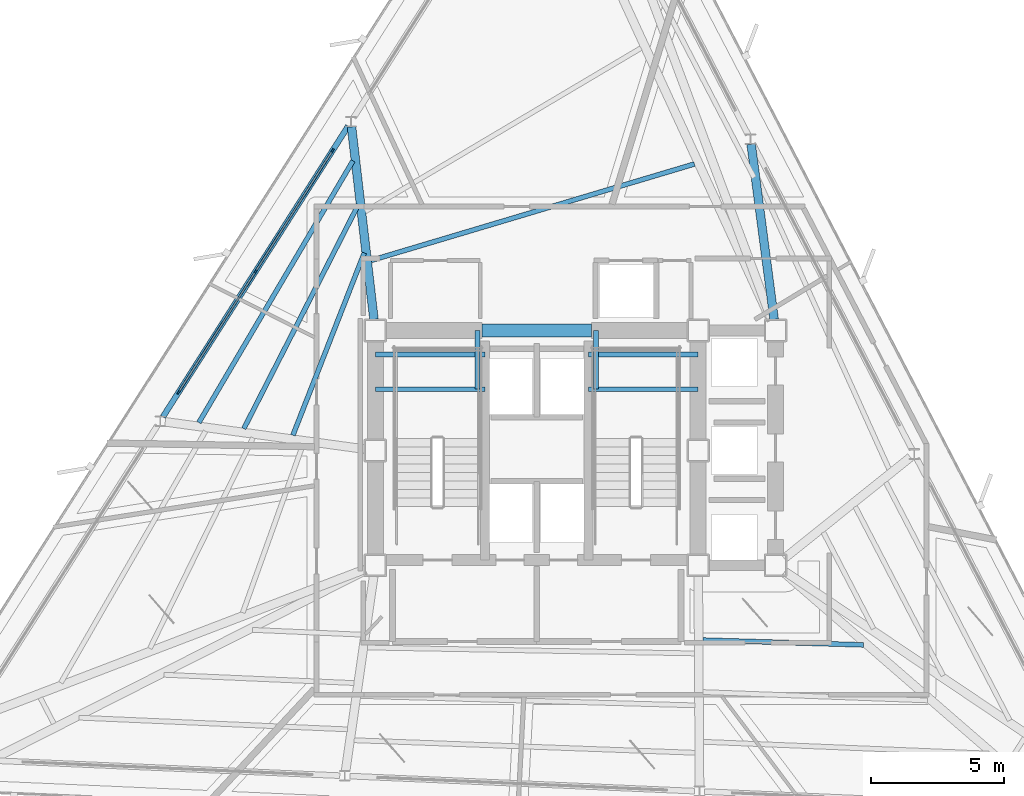
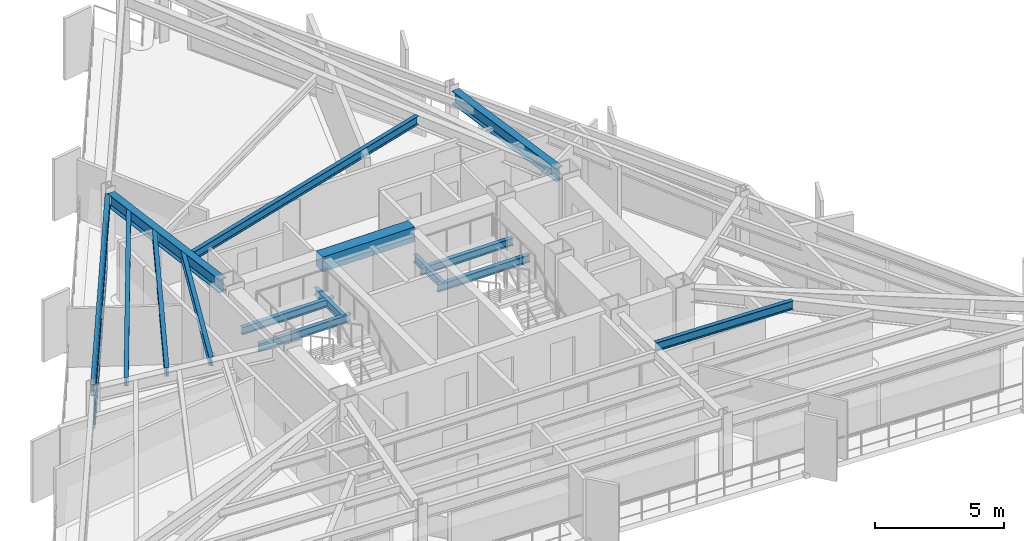
# One storey, part 3 of 12: 15 beams, 7 members, 1 element without a shape of its own.
"""IFC4 building model written with IfcOpenShell, lengths in metres."""

from ifc_helpers import new_model, si_unit, direction, frame, origin, origin_2d, place, context, subcontext, project, spatial, rectangle, i_section, extrude, material, layer, layer_set, material_profile, profile_set, type_object, element, aggregate, save


model = new_model("IFC4")

# Units and contexts
model_context = context("Model", 3, precision=1e-05, world=origin(), true_north=direction((0.0, 1.0)))
body_context = subcontext(model_context, "Body", "Model", "MODEL_VIEW")
ifc_project = project(units=[si_unit("LENGTHUNIT", "METRE"), si_unit("AREAUNIT", "SQUARE_METRE"), si_unit("VOLUMEUNIT", "CUBIC_METRE"), si_unit("PLANEANGLEUNIT", "RADIAN"), si_unit("MASSUNIT", "GRAM", prefix="KILO")], contexts=[model_context])

# Site, building, storey
site_placement = place(None, origin())
site = spatial("IfcSite", under=ifc_project, at=site_placement, CompositionType="ELEMENT")
building_placement = place(site_placement, origin())
building = spatial("IfcBuilding", under=site, at=building_placement, Name="Rocaltana Carrier Exchange", CompositionType="ELEMENT")
storey_placement = place(building_placement, frame((0.0, 0.0, 141.1201171875)))
storey = spatial("IfcBuildingStorey", under=building, at=storey_placement, Name="L44", CompositionType="ELEMENT", Elevation=141.1201171875)

# Curtain wall, members
ifc_material_1 = material(Name="Aluminium 6063-T6", Category="aluminium")
ifc_layer = layer(ifc_material_1, 0.14990234375)
ifc_layer_set = layer_set([ifc_layer], Name="Aluminium 6063-T6")
curtain_wall_type = type_object("IfcCurtainWallType", Name="Mid-Tower Unitised Curtain Wall CW-03", PredefinedType="NOTDEFINED", material=ifc_layer_set)
curtain_wall_placement = place(storey_placement, origin())
curtain_wall = element("IfcCurtainWall", 1, at=curtain_wall_placement, inside=storey, type_object=curtain_wall_type, Name="L44 CW-03 Run CW-L44-F2S2", PredefinedType="NOTDEFINED")
ifc_material_2 = material(Name="Aluminium 6063-T6", Category="aluminium")
ifc_material_profile_1 = material_profile(ifc_material_2, rectangle(XDim=0.06005859375, YDim=0.14990234375, at=origin_2d()), Name="AL-60X150")
ifc_profile_set_1 = profile_set([ifc_material_profile_1], Name="Aluminium 6063-T6")
member_type_1 = type_object("IfcMemberType", Name="CW-03 Mullion AL-60X150", PredefinedType="MULLION", material=ifc_profile_set_1)
member_1_placement = place(storey_placement, frame((-7.6494140625, 11.240478515625, 0.0), z_axis=(0.0, 0.0, 1.0), x_axis=(0.843390685726, -0.537300801443, 0.0)))
member_1 = element("IfcMember", 2, at=member_1_placement, type_object=member_type_1, Name="CW-03 mullion 1", PredefinedType="MULLION", context=body_context, shape_type="SweptSolid", body=[
    extrude(rectangle(XDim=0.06005859375, YDim=0.14990234375, at=origin_2d()), origin(), (0.0, 0.0, 1.0), 2.2177734375),
])
member_2_placement = place(storey_placement, frame((-10.53466796875, 6.71142578125, 0.0), z_axis=(0.0, 0.0, 1.0), x_axis=(0.843390685726, -0.537300801443, 0.0)))
member_2 = element("IfcMember", 3, at=member_2_placement, type_object=member_type_1, Name="CW-03 mullion 2", PredefinedType="MULLION", context=body_context, shape_type="SweptSolid", body=[
    extrude(rectangle(XDim=0.06005859375, YDim=0.14990234375, at=origin_2d()), origin(), (0.0, 0.0, 1.0), 2.2177734375),
])
member_3_placement = place(storey_placement, frame((-13.420166015625, 2.182373046875, 0.0), z_axis=(0.0, 0.0, 1.0), x_axis=(0.843390685726, -0.537300801443, 0.0)))
member_3 = element("IfcMember", 4, at=member_3_placement, type_object=member_type_1, Name="CW-03 mullion 3", PredefinedType="MULLION", context=body_context, shape_type="SweptSolid", body=[
    extrude(rectangle(XDim=0.06005859375, YDim=0.14990234375, at=origin_2d()), origin(), (0.0, 0.0, 1.0), 2.2177734375),
])
ifc_material_3 = material(Name="Aluminium 6063-T6", Category="aluminium")
ifc_material_profile_2 = material_profile(ifc_material_3, rectangle(XDim=0.06005859375, YDim=0.14990234375, at=origin_2d()), Name="AL-60X150")
ifc_profile_set_2 = profile_set([ifc_material_profile_2], Name="Aluminium 6063-T6")
member_type_2 = type_object("IfcMemberType", Name="CW-03 Transom AL-60X150", PredefinedType="USERDEFINED", material=ifc_profile_set_2)
member_4_placement = place(storey_placement, frame((-7.66552734375, 11.215087890625, 0.02978515625), z_axis=(-0.537285975238, -0.843400130906, 0.0), x_axis=(0.843400130906, -0.537285975238, 0.0)))
member_4 = element("IfcMember", 5, at=member_4_placement, type_object=member_type_2, Name="CW-03 transom 1.1", ObjectType="TRANSOM", PredefinedType="USERDEFINED", context=body_context, shape_type="SweptSolid", body=[
    extrude(rectangle(XDim=0.06005859375, YDim=0.14990234375, at=origin_2d()), origin(), (0.0, 0.0, 1.0), 5.31005859375),
])
member_5_placement = place(storey_placement, frame((-7.66552734375, 11.215087890625, 2.18798828125), z_axis=(-0.537285975238, -0.843400130906, 0.0), x_axis=(0.843400130906, -0.537285975238, 0.0)))
member_5 = element("IfcMember", 6, at=member_5_placement, type_object=member_type_2, Name="CW-03 transom 1.2", ObjectType="TRANSOM", PredefinedType="USERDEFINED", context=body_context, shape_type="SweptSolid", body=[
    extrude(rectangle(XDim=0.06005859375, YDim=0.14990234375, at=origin_2d()), origin(), (0.0, 0.0, 1.0), 5.31005859375),
])
member_6_placement = place(storey_placement, frame((-10.55078125, 6.68603515625, 0.02978515625), z_axis=(-0.537318678484, -0.843379296493, 0.0), x_axis=(0.843379296493, -0.537318678484, 0.0)))
member_6 = element("IfcMember", 7, at=member_6_placement, type_object=member_type_2, Name="CW-03 transom 2.1", ObjectType="TRANSOM", PredefinedType="USERDEFINED", context=body_context, shape_type="SweptSolid", body=[
    extrude(rectangle(XDim=0.06005859375, YDim=0.14990234375, at=origin_2d()), origin(), (0.0, 0.0, 1.0), 5.310302734375),
])
member_7_placement = place(storey_placement, frame((-10.55078125, 6.68603515625, 2.18798828125), z_axis=(-0.537318678484, -0.843379296493, 0.0), x_axis=(0.843379296493, -0.537318678484, 0.0)))
member_7 = element("IfcMember", 8, at=member_7_placement, type_object=member_type_2, Name="CW-03 transom 2.2", ObjectType="TRANSOM", PredefinedType="USERDEFINED", context=body_context, shape_type="SweptSolid", body=[
    extrude(rectangle(XDim=0.06005859375, YDim=0.14990234375, at=origin_2d()), origin(), (0.0, 0.0, 1.0), 5.310302734375),
])
aggregate(curtain_wall, [member_1, member_2, member_3, member_4, member_5, member_6, member_7])

# Beams
ifc_material_4 = material(Name="Concrete C60/75", Category="concrete")
ifc_material_profile_3 = material_profile(ifc_material_4, rectangle(XDim=0.5, YDim=0.699951171875, at=origin_2d()), Name="RC-BM-500X700")
ifc_profile_set_3 = profile_set([ifc_material_profile_3], Name="Concrete C60/75")
beam_type_1 = type_object("IfcBeamType", Name="Core Coupling Lintel 500x700", PredefinedType="LINTEL", material=ifc_profile_set_3)
beam_1_placement = place(storey_placement, frame((-2.050048828125, 4.5, 2.43798828125), z_axis=(1.0, 0.0, 0.0), x_axis=(0.0, 1.0, 0.0)))
element("IfcBeam", 9, at=beam_1_placement, inside=storey, type_object=beam_type_1, Name="L44 Core Coupling Lintel CL-N", PredefinedType="LINTEL", context=body_context, shape_type="SweptSolid", body=[
    extrude(rectangle(XDim=0.5, YDim=0.699951171875, at=origin_2d()), origin(), (0.0, 0.0, 1.0), 4.10009765625),
])
ifc_material_5 = material(Name="Steel S355", Category="steel")
ifc_material_profile_4 = material_profile(ifc_material_5, i_section(OverallWidth=0.172119140625, OverallDepth=0.35791015625, WebThickness=0.0078125, FlangeThickness=0.01318359375, FilletRadius=0.011962890625, at=origin_2d()), Name="W14X38")
ifc_profile_set_4 = profile_set([ifc_material_profile_4], Name="Steel S355")
beam_type_2 = type_object("IfcBeamType", Name="Floor Joist W14X38", PredefinedType="JOIST", material=ifc_profile_set_4)
for number, where, z_axis, x_axis, name in (
    (10, (-6.050048828125, 2.300048828125, 1.140869140625), (1.0, 0.0, 0.0), (0.0, 1.0, 0.0), "L44 ST-1 Landing Carrier 1"),
    (11, (1.93994140625, 2.300048828125, 1.140869140625), (1.0, 0.0, 0.0), (0.0, 1.0, 0.0), "L44 ST-2 Landing Carrier 1"),
    (12, (-6.050048828125, 3.60009765625, 1.140869140625), (1.0, 0.0, 0.0), (0.0, 1.0, 0.0), "L44 ST-1 Landing Carrier 2"),
    (13, (1.93994140625, 3.60009765625, 1.140869140625), (1.0, 0.0, 0.0), (0.0, 1.0, 0.0), "L44 ST-2 Landing Carrier 2"),
):
    element("IfcBeam", number, at=place(storey_placement, frame(where, z_axis=z_axis, x_axis=x_axis)), inside=storey, type_object=beam_type_2, Name=name, PredefinedType="JOIST", context=body_context, shape_type="SweptSolid", body=[
        extrude(i_section(OverallWidth=0.172119140625, OverallDepth=0.35791015625, WebThickness=0.0078125, FlangeThickness=0.01318359375, FilletRadius=0.011962890625, at=origin_2d()), origin(), (0.0, 0.0, 1.0), 4.110107421875),
    ])
for number, where, z_axis, x_axis, name in (
    (14, (-2.219970703125, 2.300048828125, 1.140869140625), (0.0, 1.0, 0.0), (-1.0, 0.0, 0.0), "L44 ST-1 Landing Cross Trimmer"),
    (15, (2.219970703125, 2.300048828125, 1.140869140625), (0.0, 1.0, 0.0), (-1.0, 0.0, 0.0), "L44 ST-2 Landing Cross Trimmer"),
):
    element("IfcBeam", number, at=place(storey_placement, frame(where, z_axis=z_axis, x_axis=x_axis)), inside=storey, type_object=beam_type_2, Name=name, PredefinedType="JOIST", context=body_context, shape_type="SweptSolid", body=[
        extrude(i_section(OverallWidth=0.172119140625, OverallDepth=0.35791015625, WebThickness=0.0078125, FlangeThickness=0.01318359375, FilletRadius=0.011962890625, at=origin_2d()), origin(), (0.0, 0.0, 1.0), 2.199951171875),
    ])
ifc_material_6 = material(Name="Steel S355", Category="steel")
ifc_material_profile_5 = material_profile(ifc_material_6, i_section(OverallWidth=0.179931640625, OverallDepth=0.4130859375, WebThickness=0.009765625, FlangeThickness=0.01611328125, FilletRadius=0.012939453125, at=origin_2d()), Name="W16X50")
ifc_profile_set_5 = profile_set([ifc_material_profile_5], Name="Steel S355")
beam_type_3 = type_object("IfcBeamType", Name="Floor Joist W16X50", PredefinedType="JOIST", material=ifc_profile_set_5)
beam_2_placement = place(storey_placement, frame((5.907958984375, 10.737548828125, 2.581298828125), z_axis=(-0.958271792159, -0.285858658, 0.0), x_axis=(0.285858658, -0.958271792159, 0.0)))
element("IfcBeam", 16, at=beam_2_placement, inside=storey, type_object=beam_type_3, Name="FJ-L44-05-1", PredefinedType="JOIST", context=body_context, shape_type="SweptSolid", body=[
    extrude(i_section(OverallWidth=0.179931640625, OverallDepth=0.4130859375, WebThickness=0.009765625, FlangeThickness=0.01611328125, FilletRadius=0.012939453125, at=origin_2d()), origin(), (0.0, 0.0, 1.0), 12.63671875),
])
beam_3_placement = place(storey_placement, frame((-6.46240234375, 7.404541015625, 2.581298828125), z_axis=(-0.364527375861, -0.931192671926, 0.0), x_axis=(0.931192671926, -0.364527375861, 0.0)))
element("IfcBeam", 17, at=beam_3_placement, inside=storey, type_object=beam_type_3, Name="FJ-L44-06-1", PredefinedType="JOIST", context=body_context, shape_type="SweptSolid", body=[
    extrude(i_section(OverallWidth=0.179931640625, OverallDepth=0.4130859375, WebThickness=0.009765625, FlangeThickness=0.01611328125, FilletRadius=0.012939453125, at=origin_2d()), origin(), (0.0, 0.0, 1.0), 7.333740234375),
])
beam_4_placement = place(storey_placement, frame((-6.686279296875, 9.20947265625, 2.581298828125), z_axis=(-0.455271338629, -0.890352743705, 0.0), x_axis=(0.890352743705, -0.455271338629, 0.0)))
element("IfcBeam", 18, at=beam_4_placement, inside=storey, type_object=beam_type_3, Name="FJ-L44-06-2", PredefinedType="JOIST", context=body_context, shape_type="SweptSolid", body=[
    extrude(i_section(OverallWidth=0.179931640625, OverallDepth=0.4130859375, WebThickness=0.009765625, FlangeThickness=0.01611328125, FilletRadius=0.012939453125, at=origin_2d()), origin(), (0.0, 0.0, 1.0), 9.419921875),
])
beam_5_placement = place(storey_placement, frame((-6.885986328125, 10.856201171875, 2.581298828125), z_axis=(-0.507296695283, -0.86177146794, 0.0), x_axis=(0.86177146794, -0.507296695283, 0.0)))
element("IfcBeam", 19, at=beam_5_placement, inside=storey, type_object=beam_type_3, Name="FJ-L44-06-3", PredefinedType="JOIST", context=body_context, shape_type="SweptSolid", body=[
    extrude(i_section(OverallWidth=0.179931640625, OverallDepth=0.4130859375, WebThickness=0.009765625, FlangeThickness=0.01611328125, FilletRadius=0.012939453125, at=origin_2d()), origin(), (0.0, 0.0, 1.0), 11.37939453125),
])
beam_6_placement = place(storey_placement, frame((6.221923828125, -7.099609375, 2.581298828125), z_axis=(0.999543297857, -0.030219128192, 0.0), x_axis=(0.030219128192, 0.999543297857, 0.0)))
element("IfcBeam", 20, at=beam_6_placement, inside=storey, type_object=beam_type_3, Name="FJ-L44-11-1", PredefinedType="JOIST", context=body_context, shape_type="SweptSolid", body=[
    extrude(i_section(OverallWidth=0.179931640625, OverallDepth=0.4130859375, WebThickness=0.009765625, FlangeThickness=0.01611328125, FilletRadius=0.012939453125, at=origin_2d()), origin(), (0.0, 0.0, 1.0), 6.018798828125),
])
ifc_material_7 = material(Name="Steel S355", Category="steel")
ifc_material_profile_6 = material_profile(ifc_material_7, i_section(OverallWidth=0.323974609375, OverallDepth=0.611083984375, WebThickness=0.0126953125, FlangeThickness=0.01904296875, FilletRadius=0.01611328125, at=origin_2d()), Name="W24X104")
ifc_profile_set_6 = profile_set([ifc_material_profile_6], Name="Steel S355")
beam_type_4 = type_object("IfcBeamType", Name="Radial Girder W24X104", PredefinedType="BEAM", material=ifc_profile_set_6)
beam_7_placement = place(storey_placement, frame((8.895751953125, 4.91357421875, 2.482421875), z_axis=(-0.130201666158, 0.991487532009, 0.0), x_axis=(-0.991487532009, -0.130201666158, 0.0)))
element("IfcBeam", 21, at=beam_7_placement, inside=storey, type_object=beam_type_4, Name="RG-L44-03", PredefinedType="BEAM", context=body_context, shape_type="SweptSolid", body=[
    extrude(i_section(OverallWidth=0.323974609375, OverallDepth=0.611083984375, WebThickness=0.0126953125, FlangeThickness=0.01904296875, FilletRadius=0.01611328125, at=origin_2d()), origin(), (0.0, 0.0, 1.0), 6.619140625),
])
beam_8_placement = place(storey_placement, frame((-6.098388671875, 4.914306640625, 2.482421875), z_axis=(-0.115782331759, 0.993274610394, 0.0), x_axis=(-0.993274610394, -0.115782331759, 0.0)))
element("IfcBeam", 22, at=beam_8_placement, inside=storey, type_object=beam_type_4, Name="RG-L44-06", PredefinedType="BEAM", context=body_context, shape_type="SweptSolid", body=[
    extrude(i_section(OverallWidth=0.323974609375, OverallDepth=0.611083984375, WebThickness=0.0126953125, FlangeThickness=0.01904296875, FilletRadius=0.01611328125, at=origin_2d()), origin(), (0.0, 0.0, 1.0), 7.26416015625),
])
ifc_material_8 = material(Name="Steel S355", Category="steel")
ifc_material_profile_7 = material_profile(ifc_material_8, i_section(OverallWidth=0.2119140625, OverallDepth=0.5439453125, WebThickness=0.01318359375, FlangeThickness=0.021240234375, FilletRadius=0.014892578125, at=origin_2d()), Name="W21X83")
ifc_profile_set_7 = profile_set([ifc_material_profile_7], Name="Steel S355")
beam_type_5 = type_object("IfcBeamType", Name="Spandrel Edge Beam W21X83", PredefinedType="SPANDREL", material=ifc_profile_set_7)
beam_9_placement = place(storey_placement, frame((-7.064697265625, 12.158447265625, 2.515869140625), z_axis=(-0.537294913868, -0.843394436508, 0.0), x_axis=(0.843394436508, -0.537294913868, 0.0)))
element("IfcBeam", 23, at=beam_9_placement, inside=storey, type_object=beam_type_5, Name="SP-L44-06", PredefinedType="SPANDREL", context=body_context, shape_type="SweptSolid", body=[
    extrude(i_section(OverallWidth=0.2119140625, OverallDepth=0.5439453125, WebThickness=0.01318359375, FlangeThickness=0.021240234375, FilletRadius=0.014892578125, at=origin_2d()), origin(), (0.0, 0.0, 1.0), 12.9169921875),
])

save(model, "model.ifc")
